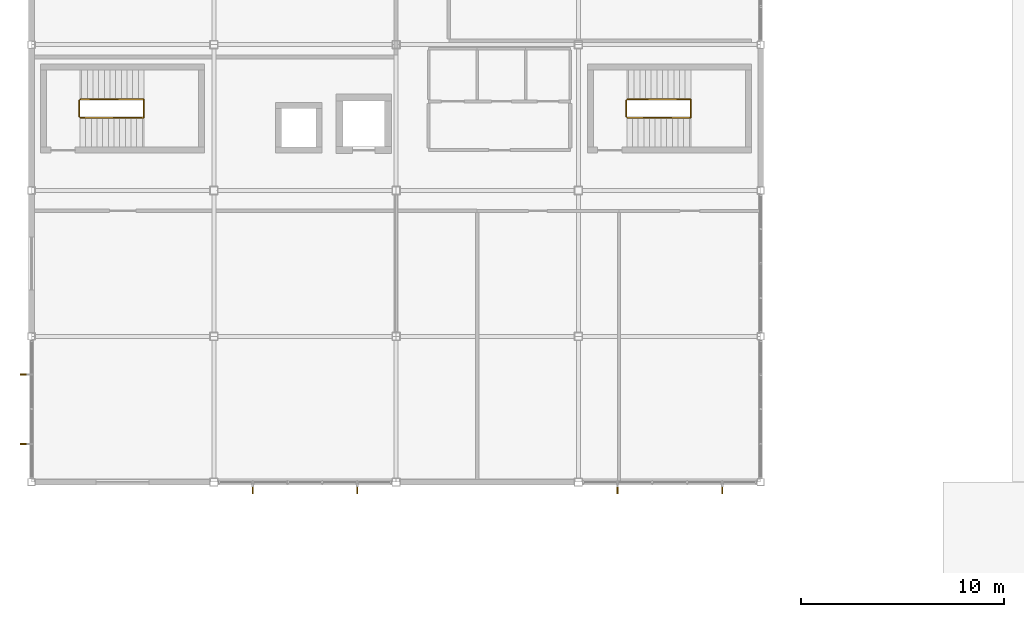
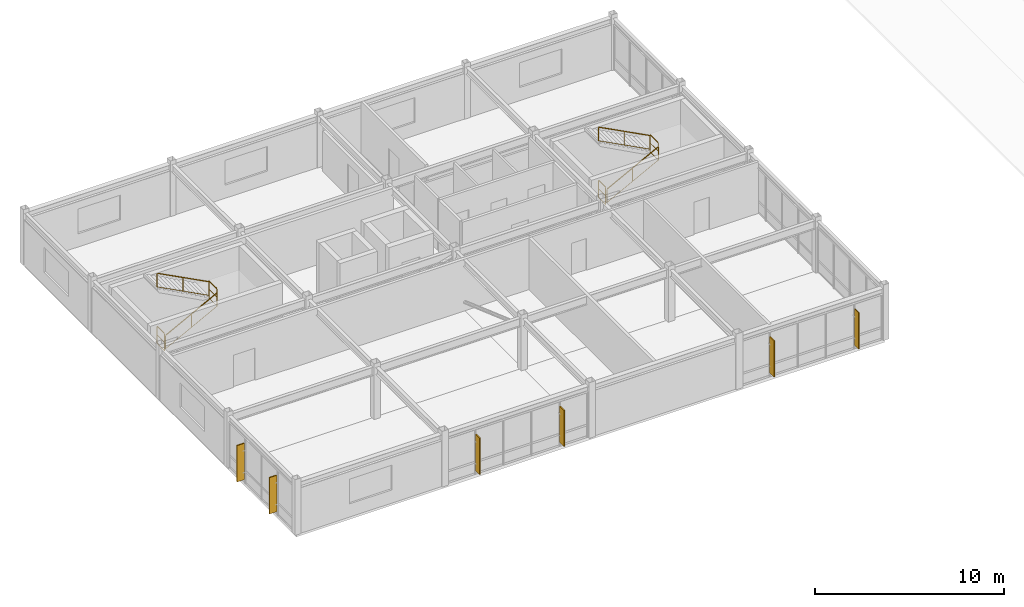
# One storey, part 32 of 34: 8 railings, 6 shading devices.
"""IFC4 building model written with IfcOpenShell, lengths in metres."""

from ifc_helpers import new_model, si_unit, direction, frame, origin, origin_2d, place, context, subcontext, project, spatial, rectangle, extrude, material, type_object, element, save


model = new_model("IFC4")

# Units and contexts
model_context = context("Model", 3, precision=1e-05, world=origin(), true_north=direction((0.0, 1.0)))
body_context = subcontext(model_context, "Body", "Model", "MODEL_VIEW")
ifc_project = project(units=[si_unit("LENGTHUNIT", "METRE"), si_unit("AREAUNIT", "SQUARE_METRE"), si_unit("VOLUMEUNIT", "CUBIC_METRE"), si_unit("PLANEANGLEUNIT", "RADIAN"), si_unit("MASSUNIT", "GRAM", prefix="KILO")], contexts=[model_context])

# Site, building, storey
site_placement = place(None, origin())
site = spatial("IfcSite", under=ifc_project, at=site_placement, CompositionType="ELEMENT")
building_placement = place(site_placement, origin())
building = spatial("IfcBuilding", under=site, at=building_placement, Name="Kazanami Central Library", CompositionType="ELEMENT")
storey_placement = place(building_placement, frame((0.0, 0.0, 17.0)))
storey = spatial("IfcBuildingStorey", under=building, at=storey_placement, Name="L05", CompositionType="ELEMENT", Elevation=17.0)

# Railings
ifc_material_1 = material(Name="Stainless Steel SUS304", Category="steel")
railing_type_1 = type_object("IfcRailingType", Name="RAL-GR-S1", PredefinedType="GUARDRAIL", material=ifc_material_1)
railing_1_placement = place(storey_placement, frame((2.360107421875, 82.8701171875, 0.0)))
element("IfcRailing", 1, at=railing_1_placement, inside=storey, type_object=railing_type_1, Name="Stair Well Guard ST-05 L05", PredefinedType="GUARDRAIL", context=body_context, shape_type="SweptSolid", body=[
    extrude(rectangle(XDim=0.0439453125, YDim=0.0439453125, at=origin_2d()), frame((0.0, 0.02587890625, 1.1279296875), z_axis=(0.0, 1.0, 0.0), x_axis=(-1.0, 0.0, 0.0)), (0.0, 0.0, 1.0), 0.707763671875),
    extrude(rectangle(XDim=0.02392578125, YDim=0.02392578125, at=origin_2d()), frame((0.0, 0.02587890625, 0.015869140625), z_axis=(0.0, 1.0, 0.0), x_axis=(-1.0, 0.0, 0.0)), (0.0, 0.0, 1.0), 0.707763671875),
    extrude(rectangle(XDim=0.02392578125, YDim=0.02392578125, at=origin_2d()), frame((0.0, 0.02587890625, 0.574951171875), z_axis=(0.0, 1.0, 0.0), x_axis=(-1.0, 0.0, 0.0)), (0.0, 0.0, 1.0), 0.707763671875),
    extrude(rectangle(XDim=0.035888671875, YDim=0.035888671875, at=origin_2d()), origin(), (0.0, 0.0, 1.0), 1.10205078125),
    extrude(rectangle(XDim=0.035888671875, YDim=0.035888671875, at=origin_2d()), frame((0.0, 0.759765625, 0.0)), (0.0, 0.0, 1.0), 1.10205078125),
])
railing_2_placement = place(storey_placement, frame((5.548095703125, 82.820068359375, 1.800048828125)))
element("IfcRailing", 2, at=railing_2_placement, inside=storey, type_object=railing_type_1, Name="Half-Landing Well Guard ST-05 L05", PredefinedType="GUARDRAIL", context=body_context, shape_type="SweptSolid", body=[
    extrude(rectangle(XDim=0.0439453125, YDim=0.0439453125, at=origin_2d()), frame((0.0, 0.02587890625, 1.1279296875), z_axis=(0.0, 1.0, 0.0), x_axis=(-1.0, 0.0, 0.0)), (0.0, 0.0, 1.0), 0.807861328125),
    extrude(rectangle(XDim=0.02392578125, YDim=0.02392578125, at=origin_2d()), frame((0.0, 0.02587890625, 0.015869140625), z_axis=(0.0, 1.0, 0.0), x_axis=(-1.0, 0.0, 0.0)), (0.0, 0.0, 1.0), 0.807861328125),
    extrude(rectangle(XDim=0.02392578125, YDim=0.02392578125, at=origin_2d()), frame((0.0, 0.02587890625, 0.574951171875), z_axis=(0.0, 1.0, 0.0), x_axis=(-1.0, 0.0, 0.0)), (0.0, 0.0, 1.0), 0.807861328125),
    extrude(rectangle(XDim=0.035888671875, YDim=0.035888671875, at=origin_2d()), origin(), (0.0, 0.0, 1.0), 1.10205078125),
    extrude(rectangle(XDim=0.035888671875, YDim=0.035888671875, at=origin_2d()), frame((0.0, 0.85986328125, 0.0)), (0.0, 0.0, 1.0), 1.10205078125),
])
railing_3_placement = place(storey_placement, frame((29.360107421875, 82.8701171875, 0.0)))
element("IfcRailing", 3, at=railing_3_placement, inside=storey, type_object=railing_type_1, Name="Stair Well Guard ST-06 L05", PredefinedType="GUARDRAIL", context=body_context, shape_type="SweptSolid", body=[
    extrude(rectangle(XDim=0.0439453125, YDim=0.0439453125, at=origin_2d()), frame((0.0, 0.02587890625, 1.1279296875), z_axis=(0.0, 1.0, 0.0), x_axis=(-1.0, 0.0, 0.0)), (0.0, 0.0, 1.0), 0.707763671875),
    extrude(rectangle(XDim=0.02392578125, YDim=0.02392578125, at=origin_2d()), frame((0.0, 0.02587890625, 0.015869140625), z_axis=(0.0, 1.0, 0.0), x_axis=(-1.0, 0.0, 0.0)), (0.0, 0.0, 1.0), 0.707763671875),
    extrude(rectangle(XDim=0.02392578125, YDim=0.02392578125, at=origin_2d()), frame((0.0, 0.02587890625, 0.574951171875), z_axis=(0.0, 1.0, 0.0), x_axis=(-1.0, 0.0, 0.0)), (0.0, 0.0, 1.0), 0.707763671875),
    extrude(rectangle(XDim=0.035888671875, YDim=0.035888671875, at=origin_2d()), origin(), (0.0, 0.0, 1.0), 1.10205078125),
    extrude(rectangle(XDim=0.035888671875, YDim=0.035888671875, at=origin_2d()), frame((0.0, 0.759765625, 0.0)), (0.0, 0.0, 1.0), 1.10205078125),
])
railing_4_placement = place(storey_placement, frame((32.548095703125, 82.820068359375, 1.800048828125)))
element("IfcRailing", 4, at=railing_4_placement, inside=storey, type_object=railing_type_1, Name="Half-Landing Well Guard ST-06 L05", PredefinedType="GUARDRAIL", context=body_context, shape_type="SweptSolid", body=[
    extrude(rectangle(XDim=0.0439453125, YDim=0.0439453125, at=origin_2d()), frame((0.0, 0.02587890625, 1.1279296875), z_axis=(0.0, 1.0, 0.0), x_axis=(-1.0, 0.0, 0.0)), (0.0, 0.0, 1.0), 0.807861328125),
    extrude(rectangle(XDim=0.02392578125, YDim=0.02392578125, at=origin_2d()), frame((0.0, 0.02587890625, 0.015869140625), z_axis=(0.0, 1.0, 0.0), x_axis=(-1.0, 0.0, 0.0)), (0.0, 0.0, 1.0), 0.807861328125),
    extrude(rectangle(XDim=0.02392578125, YDim=0.02392578125, at=origin_2d()), frame((0.0, 0.02587890625, 0.574951171875), z_axis=(0.0, 1.0, 0.0), x_axis=(-1.0, 0.0, 0.0)), (0.0, 0.0, 1.0), 0.807861328125),
    extrude(rectangle(XDim=0.035888671875, YDim=0.035888671875, at=origin_2d()), origin(), (0.0, 0.0, 1.0), 1.10205078125),
    extrude(rectangle(XDim=0.035888671875, YDim=0.035888671875, at=origin_2d()), frame((0.0, 0.85986328125, 0.0)), (0.0, 0.0, 1.0), 1.10205078125),
])
railing_type_2 = type_object("IfcRailingType", Name="RAL-HR-01", PredefinedType="HANDRAIL", material=ifc_material_1)
for number, where, name in (
    (5, (2.39404296875, 82.800048828125, 0.14990234375), "Stair Handrail ST-05 Flight 1 (L05)"),
    (6, (29.39404296875, 82.800048828125, 0.14990234375), "Stair Handrail ST-06 Flight 1 (L05)"),
):
    element("IfcRailing", number, at=place(storey_placement, frame(where)), inside=storey, type_object=railing_type_2, Name=name, PredefinedType="HANDRAIL", context=body_context, shape_type="SweptSolid", body=[
        extrude(rectangle(XDim=0.0439453125, YDim=0.0439453125, at=origin_2d()), frame((0.02294921875, 0.0, 0.889892578125), z_axis=(0.886059640598, 0.0, 0.463571260222), x_axis=(0.0, 1.0, 0.0)), (0.0, 0.0, 1.0), 3.507568359375),
        extrude(rectangle(XDim=0.02392578125, YDim=0.02392578125, at=origin_2d()), frame((0.02294921875, 0.0, 0.028076171875), z_axis=(0.886059640598, 0.0, 0.463571260222), x_axis=(0.0, 1.0, 0.0)), (0.0, 0.0, 1.0), 3.507568359375),
        extrude(rectangle(XDim=0.035888671875, YDim=0.035888671875, at=origin_2d()), origin(), (0.0, 0.0, 1.0), 0.85205078125),
        extrude(rectangle(XDim=0.035888671875, YDim=0.035888671875, at=origin_2d()), frame((1.5771484375, 0.0, 0.8251953125)), (0.0, 0.0, 1.0), 0.85205078125),
        extrude(rectangle(XDim=0.035888671875, YDim=0.035888671875, at=origin_2d()), frame((3.154052734375, 0.0, 1.650146484375)), (0.0, 0.0, 1.0), 0.85205078125),
    ])
railing_type_3 = type_object("IfcRailingType", Name="RAL-HR-02", PredefinedType="HANDRAIL", material=ifc_material_1)
for number, where, name in (
    (7, (5.553955078125, 83.699951171875, 1.949951171875), "Stair Handrail ST-05 Flight 2 (L05)"),
    (8, (32.553955078125, 83.699951171875, 1.949951171875), "Stair Handrail ST-06 Flight 2 (L05)"),
):
    element("IfcRailing", number, at=place(storey_placement, frame(where)), inside=storey, type_object=railing_type_3, Name=name, PredefinedType="HANDRAIL", context=body_context, shape_type="SweptSolid", body=[
        extrude(rectangle(XDim=0.0439453125, YDim=0.0439453125, at=origin_2d()), frame((-0.02294921875, 0.0, 0.909912109375), z_axis=(-0.886059640598, 0.0, 0.463571260222), x_axis=(0.0, -1.0, 0.0)), (0.0, 0.0, 1.0), 3.507568359375),
        extrude(rectangle(XDim=0.02392578125, YDim=0.02392578125, at=origin_2d()), frame((-0.02294921875, 0.0, 0.028076171875), z_axis=(-0.886059640598, 0.0, 0.463571260222), x_axis=(0.0, -1.0, 0.0)), (0.0, 0.0, 1.0), 3.507568359375),
        extrude(rectangle(XDim=0.035888671875, YDim=0.035888671875, at=origin_2d()), origin(), (0.0, 0.0, 1.0), 0.8720703125),
        extrude(rectangle(XDim=0.035888671875, YDim=0.035888671875, at=origin_2d()), frame((-1.5771484375, 0.0, 0.8251953125)), (0.0, 0.0, 1.0), 0.8720703125),
        extrude(rectangle(XDim=0.035888671875, YDim=0.035888671875, at=origin_2d()), frame((-3.154052734375, 0.0, 1.650146484375)), (0.0, 0.0, 1.0), 0.8720703125),
    ])

# Shading devices
ifc_material_2 = material(Name="Anodised Bronze-Grey Aluminium A6063-T5", Category="aluminium")
shading_device_type = type_object("IfcShadingDeviceType", Name="SHD-FIN-3", PredefinedType="USERDEFINED", material=ifc_material_2)
for number, where, z_axis, x_axis, name in (
    (9, (10.919921875, 64.455078125, 0.300048828125), (0.0, 0.0, 1.0), (1.0, 0.0, 0.0), "Vertical Solar Fin SF-03 L05 S-K-01.1"),
    (10, (16.080078125, 64.455078125, 0.300048828125), (0.0, 0.0, 1.0), (1.0, 0.0, 0.0), "Vertical Solar Fin SF-03 L05 S-K-01.2"),
    (11, (28.925048828125, 64.455078125, 0.300048828125), (0.0, 0.0, 1.0), (1.0, 0.0, 0.0), "Vertical Solar Fin SF-03 L05 S-K-03.1"),
    (12, (34.10009765625, 64.455078125, 0.300048828125), (0.0, 0.0, 1.0), (1.0, 0.0, 0.0), "Vertical Solar Fin SF-03 L05 S-K-03.2"),
    (13, (-0.344970703125, 66.6875, 0.294921875), (0.0, 0.0, 1.0), (0.0, 1.0, 0.0), "Vertical Solar Fin SF-03 L05 W-1-09.1"),
    (14, (-0.344970703125, 70.112548828125, 0.294921875), (0.0, 0.0, 1.0), (0.0, 1.0, 0.0), "Vertical Solar Fin SF-03 L05 W-1-09.2"),
):
    element("IfcShadingDevice", number, at=place(storey_placement, frame(where, z_axis=z_axis, x_axis=x_axis)), inside=storey, type_object=shading_device_type, Name=name, ObjectType="SOLAR FIN", PredefinedType="USERDEFINED", context=body_context, shape_type="SweptSolid", body=[
        extrude(rectangle(XDim=0.06494140625, YDim=0.449951171875, at=origin_2d()), origin(), (0.0, 0.0, 1.0), 2.35009765625),
    ])

save(model, "model.ifc")
